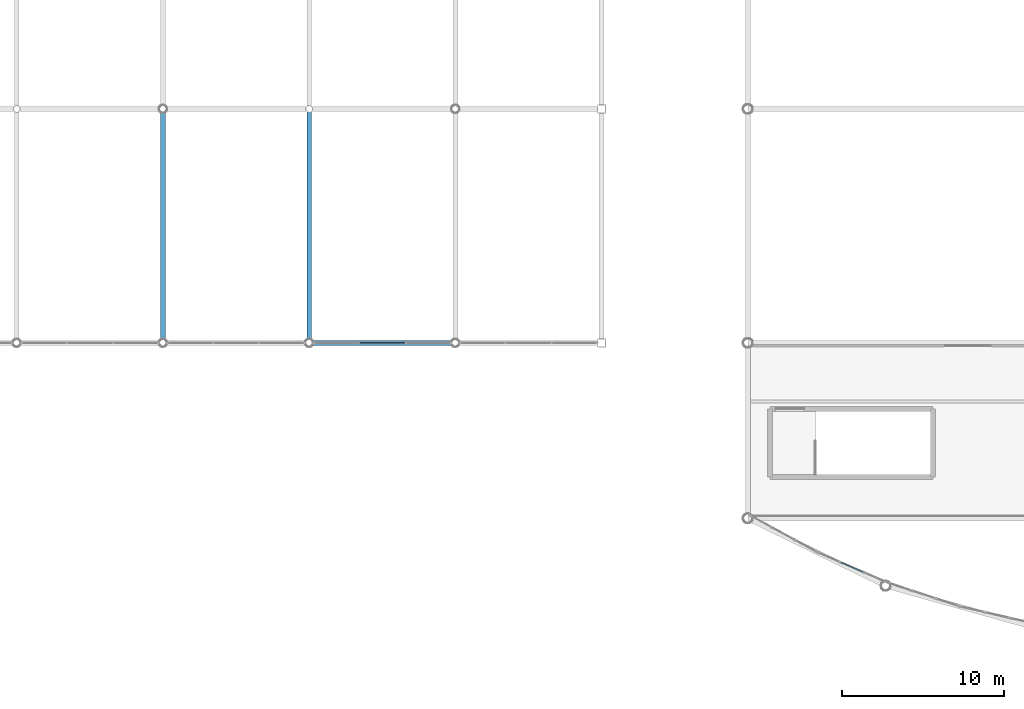
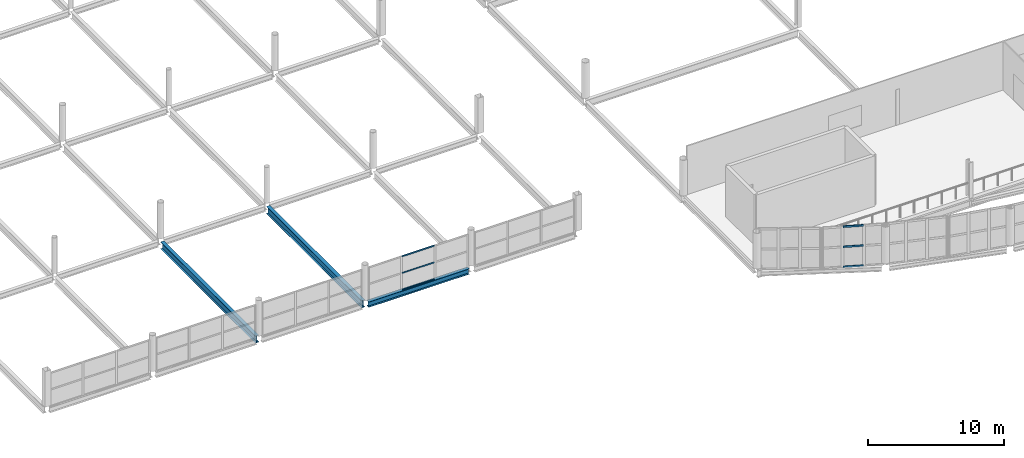
# One storey, part 25 of 134: 6 members, 3 beams, 2 elements without a shape of their own.
"""IFC4 building model written with IfcOpenShell, lengths in metres."""

from ifc_helpers import new_model, si_unit, direction, frame, origin, origin_2d, place, context, subcontext, project, spatial, hollow_rectangle, i_section, extrude, material, layer, layer_set, material_profile, profile_set, type_object, element, aggregate, save


model = new_model("IFC4")

# Units and contexts
model_context = context("Model", 3, precision=1e-05, world=origin(), true_north=direction((0.0, 1.0)))
body_context = subcontext(model_context, "Body", "Model", "MODEL_VIEW")
ifc_project = project(units=[si_unit("LENGTHUNIT", "METRE"), si_unit("AREAUNIT", "SQUARE_METRE"), si_unit("VOLUMEUNIT", "CUBIC_METRE"), si_unit("PLANEANGLEUNIT", "RADIAN"), si_unit("MASSUNIT", "GRAM", prefix="KILO")], contexts=[model_context])

# Site, building, storey
site_placement = place(None, origin())
site = spatial("IfcSite", under=ifc_project, at=site_placement, CompositionType="ELEMENT")
building_placement = place(site_placement, origin())
building = spatial("IfcBuilding", under=site, at=building_placement, Name="Tamarisk Ironworks Central Station", CompositionType="ELEMENT")
storey_placement = place(building_placement, frame((0.0, 0.0, 12.60009765625)))
storey = spatial("IfcBuildingStorey", under=building, at=storey_placement, Name="L02", CompositionType="ELEMENT", Elevation=12.60009765625)

# Beams
ifc_material_1 = material(Name="Structural steel S355J2", Category="steel")
ifc_material_profile_1 = material_profile(ifc_material_1, i_section(OverallWidth=0.300048828125, OverallDepth=0.639892578125, WebThickness=0.013427734375, FlangeThickness=0.02587890625, at=origin_2d()), Name="HEA 650")
ifc_profile_set_1 = profile_set([ifc_material_profile_1], Name="Structural steel S355J2")
beam_type_1 = type_object("IfcBeamType", Name="BM-G02", PredefinedType="BEAM", material=ifc_profile_set_1)
beam_1_placement = place(storey_placement, frame((18.0, 21.842041015625, -0.570068359375), z_axis=(0.0, 1.0, 0.0), x_axis=(-1.0, 0.0, 0.0)))
element("IfcBeam", 1, at=beam_1_placement, inside=storey, type_object=beam_type_1, Name="L02 primary girder Y-0429", PredefinedType="BEAM", context=body_context, shape_type="SweptSolid", body=[
    extrude(i_section(OverallWidth=0.300048828125, OverallDepth=0.639892578125, WebThickness=0.013427734375, FlangeThickness=0.02587890625, at=origin_2d()), origin(), (0.0, 0.0, 1.0), 13.916015625),
])
beam_2_placement = place(storey_placement, frame((27.0, 21.842041015625, -0.570068359375), z_axis=(0.0, 1.0, 0.0), x_axis=(-1.0, 0.0, 0.0)))
element("IfcBeam", 2, at=beam_2_placement, inside=storey, type_object=beam_type_1, Name="L02 primary girder Y-0436", PredefinedType="BEAM", context=body_context, shape_type="SweptSolid", body=[
    extrude(i_section(OverallWidth=0.300048828125, OverallDepth=0.639892578125, WebThickness=0.013427734375, FlangeThickness=0.02587890625, at=origin_2d()), origin(), (0.0, 0.0, 1.0), 13.966796875),
])
ifc_material_profile_2 = material_profile(ifc_material_1, i_section(OverallWidth=0.300048828125, OverallDepth=0.489990234375, WebThickness=0.011962890625, FlangeThickness=0.02294921875, at=origin_2d()), Name="HEA 500")
ifc_profile_set_2 = profile_set([ifc_material_profile_2], Name="Structural steel S355J2")
beam_type_2 = type_object("IfcBeamType", Name="BM-G05", PredefinedType="BEAM", material=ifc_profile_set_2)
beam_3_placement = place(storey_placement, frame((27.241943359375, 21.60009765625, -0.4951171875), z_axis=(1.0, 0.0, 0.0), x_axis=(0.0, 1.0, 0.0)))
element("IfcBeam", 3, at=beam_3_placement, inside=storey, type_object=beam_type_2, Name="L02 primary girder X-0309", PredefinedType="BEAM", context=body_context, shape_type="SweptSolid", body=[
    extrude(i_section(OverallWidth=0.300048828125, OverallDepth=0.489990234375, WebThickness=0.011962890625, FlangeThickness=0.02294921875, at=origin_2d()), origin(), (0.0, 0.0, 1.0), 8.51611328125),
])

# Curtain wall, members
ifc_material_2 = material(Name="Anodized aluminium alloy 6063-T6", Category="aluminium")
ifc_layer_1 = layer(ifc_material_2, 0.179931640625)
ifc_layer_set_1 = layer_set([ifc_layer_1], Name="Anodized aluminium alloy 6063-T6")
curtain_wall_type_1 = type_object("IfcCurtainWallType", Name="CW-03", PredefinedType="USERDEFINED", material=ifc_layer_set_1)
curtain_wall_1_placement = place(storey_placement, origin())
curtain_wall_1 = element("IfcCurtainWall", 4, at=curtain_wall_1_placement, inside=storey, type_object=curtain_wall_type_1, Name="SN rounded entrance hall L02 curtain wall bay 02", ObjectType="GLAZED CURTAIN WALL", PredefinedType="USERDEFINED")
ifc_material_profile_3 = material_profile(ifc_material_2, hollow_rectangle(XDim=0.074951171875, YDim=0.159912109375, WallThickness=0.00390625, at=origin_2d()), Name="ALUM 160x75")
ifc_profile_set_3 = profile_set([ifc_material_profile_3], Name="Anodized aluminium alloy 6063-T6")
member_type_1 = type_object("IfcMemberType", Name="CWT-01", PredefinedType="USERDEFINED", material=ifc_profile_set_3)
member_1_placement = place(storey_placement, frame((59.71875, 8.089111328125, -0.34765625), z_axis=(0.917379708016, -0.398013154708, 0.0), x_axis=(0.398013154708, 0.917379708016, 0.0)))
member_1 = element("IfcMember", 5, at=member_1_placement, type_object=member_type_1, Name="CW03 transom 2.1", ObjectType="TRANSOM", PredefinedType="USERDEFINED", context=body_context, shape_type="SweptSolid", body=[
    extrude(hollow_rectangle(XDim=0.074951171875, YDim=0.159912109375, WallThickness=0.00390625, at=origin_2d()), origin(), (0.0, 0.0, 1.0), 1.5029296875),
])
member_2_placement = place(storey_placement, frame((59.71875, 8.089111328125, 1.447509765625), z_axis=(0.917379708016, -0.398013154708, 0.0), x_axis=(0.398013154708, 0.917379708016, 0.0)))
member_2 = element("IfcMember", 6, at=member_2_placement, type_object=member_type_1, Name="CW03 transom 2.2", ObjectType="TRANSOM", PredefinedType="USERDEFINED", context=body_context, shape_type="SweptSolid", body=[
    extrude(hollow_rectangle(XDim=0.074951171875, YDim=0.159912109375, WallThickness=0.00390625, at=origin_2d()), origin(), (0.0, 0.0, 1.0), 1.5029296875),
])
member_3_placement = place(storey_placement, frame((59.71875, 8.089111328125, 3.242431640625), z_axis=(0.917379708016, -0.398013154708, 0.0), x_axis=(0.398013154708, 0.917379708016, 0.0)))
member_3 = element("IfcMember", 7, at=member_3_placement, type_object=member_type_1, Name="CW03 transom 2.3", ObjectType="TRANSOM", PredefinedType="USERDEFINED", context=body_context, shape_type="SweptSolid", body=[
    extrude(hollow_rectangle(XDim=0.074951171875, YDim=0.159912109375, WallThickness=0.00390625, at=origin_2d()), origin(), (0.0, 0.0, 1.0), 1.5029296875),
])
aggregate(curtain_wall_1, [member_1, member_2, member_3])

ifc_layer_2 = layer(ifc_material_2, 0.179931640625)
ifc_layer_set_2 = layer_set([ifc_layer_2], Name="Anodized aluminium alloy 6063-T6")
curtain_wall_type_2 = type_object("IfcCurtainWallType", Name="CW-08", PredefinedType="USERDEFINED", material=ifc_layer_set_2)
curtain_wall_2_placement = place(storey_placement, origin())
curtain_wall_2 = element("IfcCurtainWall", 8, at=curtain_wall_2_placement, inside=storey, type_object=curtain_wall_type_2, Name="Train shed WS clerestory curtain wall 027", ObjectType="GLAZED CURTAIN WALL", PredefinedType="USERDEFINED")
ifc_material_profile_4 = material_profile(ifc_material_2, hollow_rectangle(XDim=0.06005859375, YDim=0.114990234375, WallThickness=0.00341796875, at=origin_2d()), Name="ALUM 115x60")
ifc_profile_set_4 = profile_set([ifc_material_profile_4], Name="Anodized aluminium alloy 6063-T6")
member_type_2 = type_object("IfcMemberType", Name="CWT-03", PredefinedType="USERDEFINED", material=ifc_profile_set_4)
member_4_placement = place(storey_placement, frame((30.110107421875, 21.60009765625, -0.22998046875), z_axis=(1.0, 0.0, 0.0), x_axis=(0.0, 1.0, 0.0)))
member_4 = element("IfcMember", 9, at=member_4_placement, type_object=member_type_2, Name="CW08 transom 2.1", ObjectType="TRANSOM", PredefinedType="USERDEFINED", context=body_context, shape_type="SweptSolid", body=[
    extrude(hollow_rectangle(XDim=0.06005859375, YDim=0.114990234375, WallThickness=0.00341796875, at=origin_2d()), origin(), (0.0, 0.0, 1.0), 2.77978515625),
])
member_5_placement = place(storey_placement, frame((30.110107421875, 21.60009765625, 1.260009765625), z_axis=(1.0, 0.0, 0.0), x_axis=(0.0, 1.0, 0.0)))
member_5 = element("IfcMember", 10, at=member_5_placement, type_object=member_type_2, Name="CW08 transom 2.2", ObjectType="TRANSOM", PredefinedType="USERDEFINED", context=body_context, shape_type="SweptSolid", body=[
    extrude(hollow_rectangle(XDim=0.06005859375, YDim=0.114990234375, WallThickness=0.00341796875, at=origin_2d()), origin(), (0.0, 0.0, 1.0), 2.77978515625),
])
member_6_placement = place(storey_placement, frame((30.110107421875, 21.60009765625, 2.75), z_axis=(1.0, 0.0, 0.0), x_axis=(0.0, 1.0, 0.0)))
member_6 = element("IfcMember", 11, at=member_6_placement, type_object=member_type_2, Name="CW08 transom 2.3", ObjectType="TRANSOM", PredefinedType="USERDEFINED", context=body_context, shape_type="SweptSolid", body=[
    extrude(hollow_rectangle(XDim=0.06005859375, YDim=0.114990234375, WallThickness=0.00341796875, at=origin_2d()), origin(), (0.0, 0.0, 1.0), 2.77978515625),
])
aggregate(curtain_wall_2, [member_4, member_5, member_6])

save(model, "model.ifc")
